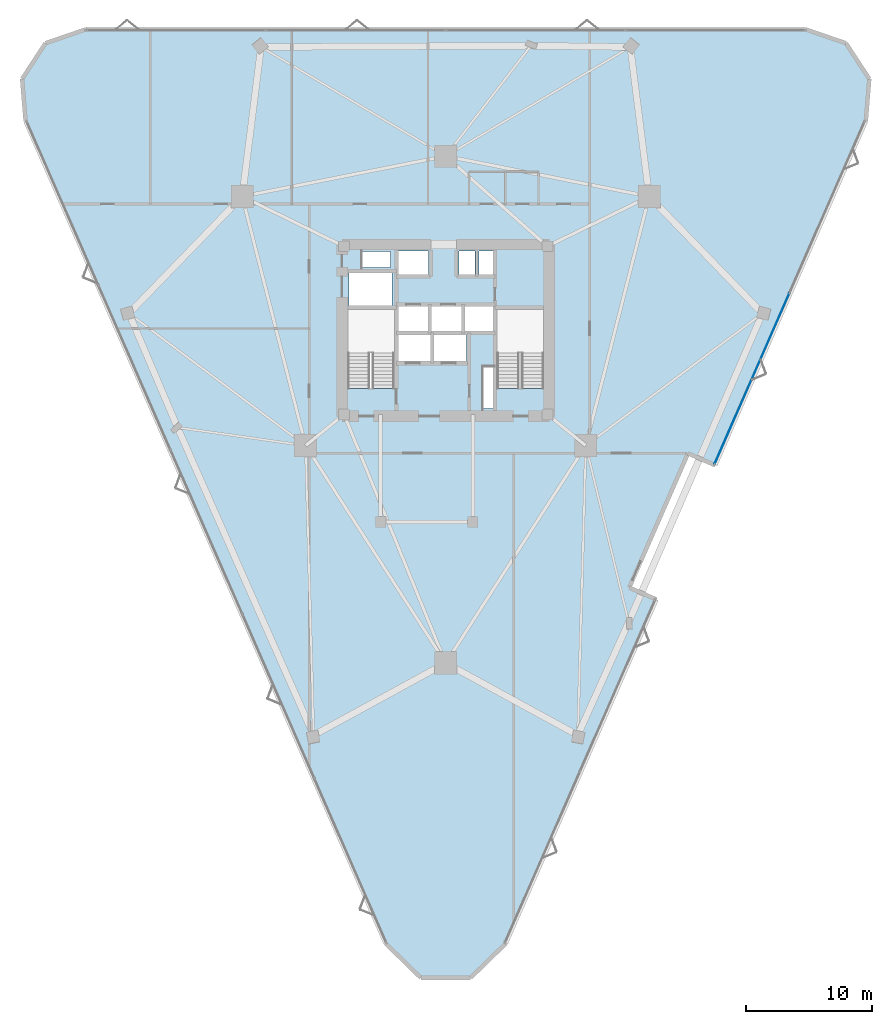
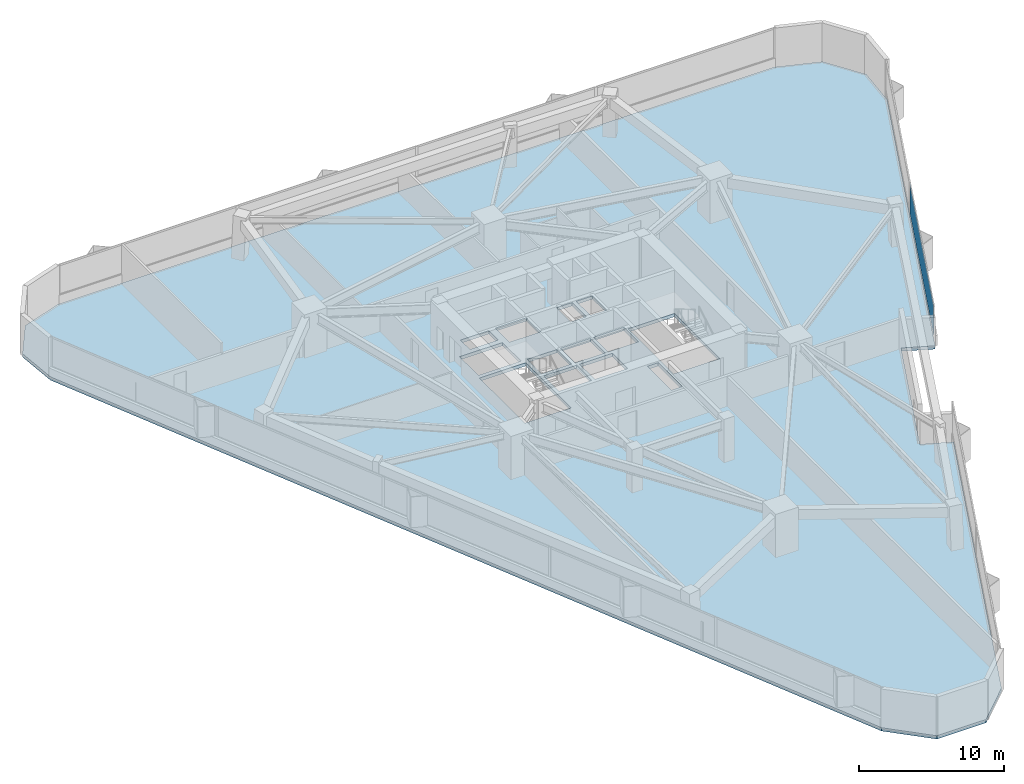
# One storey, part 10 of 14: 1 plate, 1 slab, 1 element without a shape of its own.
"""IFC4 building model written with IfcOpenShell, lengths in metres."""

import ifcopenshell
import ifcopenshell.guid

model = None  # the IFC model being written
_history = None  # IfcOwnerHistory: only IFC2X3 demands one
_inside = {}  # id of a spatial element -> (the spatial element, [elements in it])
_under = {}  # id of a project, library or spatial element -> (it, [spatial elements below it])
_declared = {}  # id of a project -> (the project, [libraries it declares])
_typed = {}  # id of a type object -> (the type object, [elements of that type])
_made_of = {}  # id of a material, layer set ... -> (it, [elements and type objects made of it])


def new_model(schema):
    """Start an empty IFC model of exactly this schema.

    Asked for "IFC4X3", IfcOpenShell would pick the latest addendum, in which some entities
    have other attributes; the version numbers below select the first issue.
    IFC2X3 requires an IfcOwnerHistory on every rooted entity: one is made here for all.
    """
    global model, _history
    if schema == "IFC4X3":
        model = ifcopenshell.file(schema_version=(4, 3, 0, 0))
    else:
        model = ifcopenshell.file(schema=schema)
    _inside.clear()
    _under.clear()
    _declared.clear()
    _typed.clear()
    _made_of.clear()
    _history = None
    if model.schema == "IFC2X3":
        org = make("IfcOrganization", Name="unknown")
        user = make(
            "IfcPersonAndOrganization",
            ThePerson=make("IfcPerson", FamilyName="unknown"),
            TheOrganization=org,
        )
        app = make(
            "IfcApplication",
            ApplicationDeveloper=org,
            Version="unknown",
            ApplicationFullName="unknown",
            ApplicationIdentifier="unknown",
        )
        _history = make(
            "IfcOwnerHistory",
            OwningUser=user,
            OwningApplication=app,
            ChangeAction="ADDED",
            CreationDate=0,
        )
    return model


def make(cls, **values):
    """One entity of the class cls with the attributes given. An attribute that is None is left unset."""
    return model.create_entity(
        cls, **{name: value for name, value in values.items() if value is not None}
    )


def rooted(cls, **values):
    """An entity with a GlobalId (a new one), such as an element, a storey or a relation."""
    return make(cls, GlobalId=ifcopenshell.guid.new(), OwnerHistory=_history, **values)


def si_unit(unit_type, name, prefix=None):
    """IfcSIUnit, for example si_unit("LENGTHUNIT", "METRE", prefix="MILLI")."""
    return make("IfcSIUnit", UnitType=unit_type, Prefix=prefix, Name=name)


def assignment(units):
    """IfcUnitAssignment: the units of a project."""
    return None if units is None else make("IfcUnitAssignment", Units=units)


def point(xyz):
    """IfcCartesianPoint."""
    return None if xyz is None else make("IfcCartesianPoint", Coordinates=xyz)


def direction(xyz):
    """IfcDirection."""
    return None if xyz is None else make("IfcDirection", DirectionRatios=xyz)


def frame(location, z_axis=None, x_axis=None):
    """IfcAxis2Placement3D, a coordinate frame: its origin and axes. An axis left out is left unset."""
    return make(
        "IfcAxis2Placement3D",
        Location=point(location),
        Axis=direction(z_axis),
        RefDirection=direction(x_axis),
    )


def frame_2d(location, x_axis=None):
    """IfcAxis2Placement2D, a coordinate frame in the plane: its origin and x axis."""
    return make(
        "IfcAxis2Placement2D", Location=point(location), RefDirection=direction(x_axis)
    )


def origin():
    """The frame at (0, 0, 0) with its axes left unset."""
    return frame((0.0, 0.0, 0.0))


def origin_2d():
    """The frame at (0, 0) in the plane with its x axis left unset."""
    return frame_2d((0.0, 0.0))


def place(relative_to, where):
    """IfcLocalPlacement: puts the frame where relative to a parent placement (None: the world)."""
    return make(
        "IfcLocalPlacement", PlacementRelTo=relative_to, RelativePlacement=where
    )


def context(
    kind, dimensions, precision=None, world=None, true_north=None, identifier=None
):
    """IfcGeometricRepresentationContext, for example the 3D "Model" context."""
    return make(
        "IfcGeometricRepresentationContext",
        ContextIdentifier=identifier,
        ContextType=kind,
        CoordinateSpaceDimension=dimensions,
        Precision=precision,
        WorldCoordinateSystem=world,
        TrueNorth=true_north,
    )


def subcontext(parent, identifier, kind, view, scale=None):
    """IfcGeometricRepresentationSubContext, for example "Body" below "Model"."""
    return make(
        "IfcGeometricRepresentationSubContext",
        ContextIdentifier=identifier,
        ContextType=kind,
        ParentContext=parent,
        TargetScale=scale,
        TargetView=view,
    )


def project(units=None, contexts=None):
    """IfcProject with its units and contexts."""
    return rooted(
        "IfcProject",
        Name="project",
        RepresentationContexts=contexts,
        UnitsInContext=assignment(units),
    )


def spatial(cls, under=None, at=None, **own):
    """A site, building, storey or space (cls), placed at a placement, below another one or the project."""
    s = rooted(cls, ObjectPlacement=at, **own)
    if under is not None:
        _under.setdefault(under.id(), (under, []))[1].append(s)
    return s


def polyline(points):
    """IfcPolyline through the points."""
    return make("IfcPolyline", Points=[point(p) for p in points])


def profile(cls, at=None, kind="AREA", **sizes):
    """A parametric profile (cls). Its sizes go by their IFC names, for example OverallWidth=200.0."""
    return make(cls, ProfileType=kind, Position=at, **sizes)


def rectangle(**sizes):
    """IfcRectangleProfileDef."""
    return profile("IfcRectangleProfileDef", **sizes)


def outline(outer, holes=None, kind="AREA"):
    """IfcArbitraryClosedProfileDef: a profile drawn as a closed curve; with holes, ...WithVoids."""
    if holes is None:
        return make("IfcArbitraryClosedProfileDef", ProfileType=kind, OuterCurve=outer)
    return make(
        "IfcArbitraryProfileDefWithVoids",
        ProfileType=kind,
        OuterCurve=outer,
        InnerCurves=holes,
    )


def extrude(swept, where, along, depth):
    """IfcExtrudedAreaSolid: the profile swept, set in the frame where, extruded along a direction by depth."""
    return make(
        "IfcExtrudedAreaSolid",
        SweptArea=swept,
        Position=where,
        ExtrudedDirection=direction(along),
        Depth=depth,
    )


def shape(context_of_items, identifier, shape_type, items):
    """IfcShapeRepresentation: the items that make up one representation, for example the "Body"."""
    return make(
        "IfcShapeRepresentation",
        ContextOfItems=context_of_items,
        RepresentationIdentifier=identifier,
        RepresentationType=shape_type,
        Items=items,
    )


def material(Name=None, Category=None):
    """IfcMaterial."""
    return make("IfcMaterial", Name=Name, Category=Category)


def layer(
    of_material, thickness, ventilated=None, Name=None, Category=None, Priority=None
):
    """IfcMaterialLayer: one layer of a wall or slab, of a material (None: an air gap)."""
    return make(
        "IfcMaterialLayer",
        Material=of_material,
        LayerThickness=thickness,
        IsVentilated=ventilated,
        Name=Name,
        Category=Category,
        Priority=Priority,
    )


def layer_set(layers, Name=None):
    """IfcMaterialLayerSet."""
    return make("IfcMaterialLayerSet", MaterialLayers=layers, LayerSetName=Name)


def made_of(thing, what):
    """Note that an element or type object is made of a material, layer set ...; save() writes the relation."""
    if what is not None:
        _made_of.setdefault(what.id(), (what, []))[1].append(thing)
    return thing


def type_object(cls, material=None, **own):
    """A type object (cls), such as IfcWallType, which elements share."""
    return made_of(rooted(cls, **own), material)


def element(
    cls,
    number,
    at=None,
    inside=None,
    cuts=None,
    type_object=None,
    material=None,
    context=None,
    identifier="Body",
    shape_type=None,
    held_by="IfcProductDefinitionShape",
    body=None,
    shapes=None,
    **own,
):
    """One element of the class cls, such as IfcWall. Its Tag is "e" and its number.

    at: its placement. inside: the storey or other place that contains it. cuts: it is an
    opening in that element (IfcRelVoidsElement). A single representation is given by context,
    identifier, shape_type and body (its items); several are given by shapes. held_by: the class
    of the entity that holds the representations. save() writes the other relations.
    """
    e = rooted(cls, Tag="e%d" % number, ObjectPlacement=at, **own)
    if body is not None:
        shapes = [shape(context, identifier, shape_type, body)]
    if shapes is not None:
        e.Representation = make(held_by, Representations=shapes)
    if inside is not None:
        _inside.setdefault(inside.id(), (inside, []))[1].append(e)
    if cuts is not None:
        rooted(
            "IfcRelVoidsElement", RelatingBuildingElement=cuts, RelatedOpeningElement=e
        )
    if type_object is not None:
        _typed.setdefault(type_object.id(), (type_object, []))[1].append(e)
    return made_of(e, material)


def aggregate(whole, parts):
    """IfcRelAggregates: a whole, such as a stair, and the parts it consists of."""
    return rooted("IfcRelAggregates", RelatingObject=whole, RelatedObjects=parts)


def save(model, path):
    """Write the relations noted so far, then the file.

    IfcRelAggregates (storeys below a building ...), IfcRelContainedInSpatialStructure (elements
    in a storey), IfcRelDefinesByType, IfcRelAssociatesMaterial and IfcRelDeclares: one each for
    every whole, place, type object, material and project.
    """
    for whole, parts in _under.values():
        aggregate(whole, parts)
    for where, things in _inside.values():
        rooted(
            "IfcRelContainedInSpatialStructure",
            RelatedElements=things,
            RelatingStructure=where,
        )
    for kind, things in _typed.values():
        rooted("IfcRelDefinesByType", RelatedObjects=things, RelatingType=kind)
    for what, things in _made_of.values():
        rooted("IfcRelAssociatesMaterial", RelatedObjects=things, RelatingMaterial=what)
    for by, libraries in _declared.values():
        rooted("IfcRelDeclares", RelatingContext=by, RelatedDefinitions=libraries)
    model.write(path)


model = new_model("IFC4")

# Units and contexts
model_context = context("Model", 3, precision=1e-05, world=origin(), true_north=direction((0.0, 1.0)))
body_context = subcontext(model_context, "Body", "Model", "MODEL_VIEW")
ifc_project = project(units=[si_unit("LENGTHUNIT", "METRE"), si_unit("AREAUNIT", "SQUARE_METRE"), si_unit("VOLUMEUNIT", "CUBIC_METRE"), si_unit("PLANEANGLEUNIT", "RADIAN"), si_unit("MASSUNIT", "GRAM", prefix="KILO")], contexts=[model_context])

# Site, building, storey
site_placement = place(None, origin())
site = spatial("IfcSite", under=ifc_project, at=site_placement, CompositionType="ELEMENT")
building_placement = place(site_placement, origin())
building = spatial("IfcBuilding", under=site, at=building_placement, Name="Talyreon Biosciences Tower", CompositionType="ELEMENT")
storey_placement = place(building_placement, frame((0.0, 0.0, 52.0)))
storey = spatial("IfcBuildingStorey", under=building, at=storey_placement, Name="L13", CompositionType="ELEMENT", Elevation=52.0)

# Curtain wall, plate
ifc_material_1 = material(Name="Thermally broken aluminium and low-E glazing", Category="aluminium")
ifc_layer_1 = layer(ifc_material_1, 0.205078125)
ifc_layer_set_1 = layer_set([ifc_layer_1], Name="Thermally broken aluminium and low-E glazing")
curtain_wall_type = type_object("IfcCurtainWallType", Name="CurtainWall_SkyGardenLoggia", PredefinedType="NOTDEFINED", material=ifc_layer_set_1)
curtain_wall_placement = place(storey_placement, origin())
curtain_wall = element("IfcCurtainWall", 1, at=curtain_wall_placement, inside=storey, type_object=curtain_wall_type, Name="L13 Unitised Curtain Wall FCW-L13-07", PredefinedType="NOTDEFINED")
ifc_material_2 = material(Name="Acoustic laminated low-E insulated glazing", Category="glass")
ifc_layer_2 = layer(ifc_material_2, 0.0380859375)
ifc_layer_set_2 = layer_set([ifc_layer_2], Name="Acoustic laminated low-E insulated glazing")
plate_type = type_object("IfcPlateType", Name="CWGlazingPanel_38", PredefinedType="CURTAIN_PANEL", material=ifc_layer_set_2)
plate_placement = place(storey_placement, frame((90.242919921875, 64.17724609375, 0.875), z_axis=(0.0, 0.0, 1.0), x_axis=(-0.401098211105, -0.91603505667, 0.0)))
plate = element("IfcPlate", 2, at=plate_placement, type_object=plate_type, Name="CW7 panel 2.1", PredefinedType="CURTAIN_PANEL", context=body_context, shape_type="SweptSolid", body=[
    extrude(rectangle(XDim=14.7392578125, YDim=0.0380859375, at=origin_2d()), origin(), (0.0, 0.0, 1.0), 2.43505859375),
])
aggregate(curtain_wall, [plate])

# Slab
ifc_material_3 = material(Name="Concrete C40/50", Category="concrete")
ifc_layer_3 = layer(ifc_material_3, 0.27490234375)
ifc_layer_set_3 = layer_set([ifc_layer_3], Name="Concrete C40/50")
slab_type = type_object("IfcSlabType", Name="WetLabFloorSlab_275", PredefinedType="FLOOR", material=ifc_layer_set_3)
slab_placement = place(storey_placement, frame((0.0, 0.0, -0.27490234375)))
element("IfcSlab", 3, at=slab_placement, inside=storey, type_object=slab_type, Name="L13 Structural Floor Slab", PredefinedType="FLOOR", context=body_context, shape_type="SweptSolid", body=[
    extrude(outline(polyline([(32.755859375, 84.534912109375), (32.47900390625, 87.8994140625), (34.326171875, 90.724853515625), (37.519287109375, 91.82080078125), (94.480712890625, 91.82080078125), (97.673828125, 90.724853515625), (99.52099609375, 87.8994140625), (99.244140625, 84.534912109375), (87.330078125, 57.32568359375), (85.177490234375, 58.26806640625), (80.524658203125, 47.64208984375), (82.677490234375, 46.69970703125), (70.763427734375, 19.489990234375), (67.9580078125, 16.75830078125), (64.0419921875, 16.75830078125), (61.236572265625, 19.489990234375), (32.755859375, 84.534912109375)]), holes=[polyline([(61.929931640625, 69.64990234375), (61.929931640625, 63.407958984375), (58.25, 63.407958984375), (58.25, 69.64990234375), (61.929931640625, 69.64990234375)]), polyline([(64.800048828125, 65.550048828125), (62.199951171875, 65.550048828125), (62.199951171875, 67.64990234375), (64.800048828125, 67.64990234375), (64.800048828125, 65.550048828125)]), polyline([(64.60009765625, 67.949951171875), (62.199951171875, 67.949951171875), (62.199951171875, 69.949951171875), (64.60009765625, 69.949951171875), (64.60009765625, 67.949951171875)]), polyline([(67.25, 69.949951171875), (67.25, 67.949951171875), (64.85009765625, 67.949951171875), (64.85009765625, 69.949951171875), (67.25, 69.949951171875)]), polyline([(61.75, 69.97998046875), (58.35009765625, 69.97998046875), (58.35009765625, 72.550048828125), (61.75, 72.550048828125), (61.75, 69.97998046875)]), polyline([(64.64990234375, 72.35009765625), (62.199951171875, 72.35009765625), (62.199951171875, 74.300048828125), (64.64990234375, 74.300048828125), (64.64990234375, 72.35009765625)]), polyline([(61.64990234375, 74.25), (61.64990234375, 72.9599609375), (59.39990234375, 72.9599609375), (59.39990234375, 74.25), (61.64990234375, 74.25)]), polyline([(69.820068359375, 61.800048828125), (68.9599609375, 61.800048828125), (68.9599609375, 65.10009765625), (69.820068359375, 65.10009765625), (69.820068359375, 61.800048828125)]), polyline([(73.75, 63.407958984375), (70.070068359375, 63.407958984375), (70.070068359375, 69.64990234375), (73.75, 69.64990234375), (73.75, 63.407958984375)]), polyline([(67.64990234375, 65.550048828125), (65.050048828125, 65.550048828125), (65.050048828125, 67.64990234375), (67.64990234375, 67.64990234375), (67.64990234375, 65.550048828125)]), polyline([(69.89990234375, 67.949951171875), (67.5, 67.949951171875), (67.5, 69.949951171875), (69.89990234375, 69.949951171875), (69.89990234375, 67.949951171875)]), polyline([(68.300048828125, 72.35009765625), (67.050048828125, 72.35009765625), (67.050048828125, 74.300048828125), (68.300048828125, 74.300048828125), (68.300048828125, 72.35009765625)]), polyline([(69.919921875, 72.35009765625), (68.6201171875, 72.35009765625), (68.6201171875, 74.300048828125), (69.919921875, 74.300048828125), (69.919921875, 72.35009765625)])]), origin(), (0.0, 0.0, 1.0), 0.27490234375),
])

save(model, "model.ifc")
